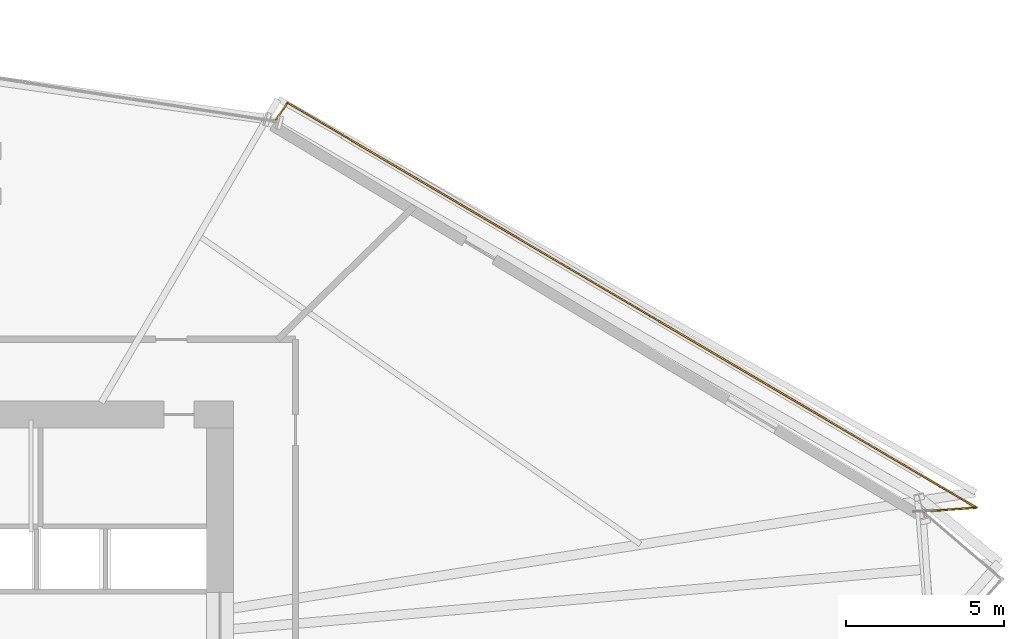
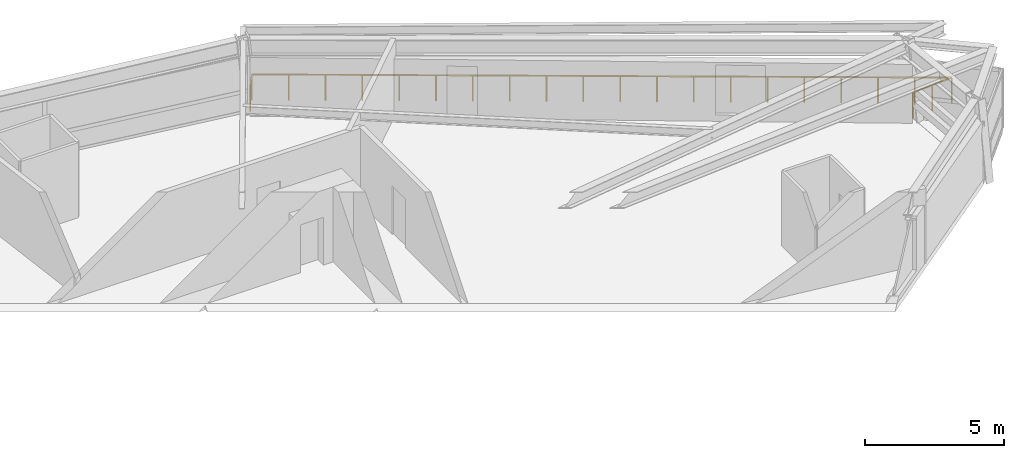
# One storey, part 22 of 22: 1 railing.
"""IFC4 building model written with IfcOpenShell, lengths in metres."""

import ifcopenshell
import ifcopenshell.guid

model = None  # the IFC model being written
_history = None  # IfcOwnerHistory: only IFC2X3 demands one
_inside = {}  # id of a spatial element -> (the spatial element, [elements in it])
_under = {}  # id of a project, library or spatial element -> (it, [spatial elements below it])
_declared = {}  # id of a project -> (the project, [libraries it declares])
_typed = {}  # id of a type object -> (the type object, [elements of that type])
_made_of = {}  # id of a material, layer set ... -> (it, [elements and type objects made of it])


def new_model(schema):
    """Start an empty IFC model of exactly this schema.

    Asked for "IFC4X3", IfcOpenShell would pick the latest addendum, in which some entities
    have other attributes; the version numbers below select the first issue.
    IFC2X3 requires an IfcOwnerHistory on every rooted entity: one is made here for all.
    """
    global model, _history
    if schema == "IFC4X3":
        model = ifcopenshell.file(schema_version=(4, 3, 0, 0))
    else:
        model = ifcopenshell.file(schema=schema)
    _inside.clear()
    _under.clear()
    _declared.clear()
    _typed.clear()
    _made_of.clear()
    _history = None
    if model.schema == "IFC2X3":
        org = make("IfcOrganization", Name="unknown")
        user = make(
            "IfcPersonAndOrganization",
            ThePerson=make("IfcPerson", FamilyName="unknown"),
            TheOrganization=org,
        )
        app = make(
            "IfcApplication",
            ApplicationDeveloper=org,
            Version="unknown",
            ApplicationFullName="unknown",
            ApplicationIdentifier="unknown",
        )
        _history = make(
            "IfcOwnerHistory",
            OwningUser=user,
            OwningApplication=app,
            ChangeAction="ADDED",
            CreationDate=0,
        )
    return model


def make(cls, **values):
    """One entity of the class cls with the attributes given. An attribute that is None is left unset."""
    return model.create_entity(
        cls, **{name: value for name, value in values.items() if value is not None}
    )


def rooted(cls, **values):
    """An entity with a GlobalId (a new one), such as an element, a storey or a relation."""
    return make(cls, GlobalId=ifcopenshell.guid.new(), OwnerHistory=_history, **values)


def si_unit(unit_type, name, prefix=None):
    """IfcSIUnit, for example si_unit("LENGTHUNIT", "METRE", prefix="MILLI")."""
    return make("IfcSIUnit", UnitType=unit_type, Prefix=prefix, Name=name)


def assignment(units):
    """IfcUnitAssignment: the units of a project."""
    return None if units is None else make("IfcUnitAssignment", Units=units)


def point(xyz):
    """IfcCartesianPoint."""
    return None if xyz is None else make("IfcCartesianPoint", Coordinates=xyz)


def direction(xyz):
    """IfcDirection."""
    return None if xyz is None else make("IfcDirection", DirectionRatios=xyz)


def frame(location, z_axis=None, x_axis=None):
    """IfcAxis2Placement3D, a coordinate frame: its origin and axes. An axis left out is left unset."""
    return make(
        "IfcAxis2Placement3D",
        Location=point(location),
        Axis=direction(z_axis),
        RefDirection=direction(x_axis),
    )


def frame_2d(location, x_axis=None):
    """IfcAxis2Placement2D, a coordinate frame in the plane: its origin and x axis."""
    return make(
        "IfcAxis2Placement2D", Location=point(location), RefDirection=direction(x_axis)
    )


def origin():
    """The frame at (0, 0, 0) with its axes left unset."""
    return frame((0.0, 0.0, 0.0))


def origin_2d():
    """The frame at (0, 0) in the plane with its x axis left unset."""
    return frame_2d((0.0, 0.0))


def place(relative_to, where):
    """IfcLocalPlacement: puts the frame where relative to a parent placement (None: the world)."""
    return make(
        "IfcLocalPlacement", PlacementRelTo=relative_to, RelativePlacement=where
    )


def context(
    kind, dimensions, precision=None, world=None, true_north=None, identifier=None
):
    """IfcGeometricRepresentationContext, for example the 3D "Model" context."""
    return make(
        "IfcGeometricRepresentationContext",
        ContextIdentifier=identifier,
        ContextType=kind,
        CoordinateSpaceDimension=dimensions,
        Precision=precision,
        WorldCoordinateSystem=world,
        TrueNorth=true_north,
    )


def subcontext(parent, identifier, kind, view, scale=None):
    """IfcGeometricRepresentationSubContext, for example "Body" below "Model"."""
    return make(
        "IfcGeometricRepresentationSubContext",
        ContextIdentifier=identifier,
        ContextType=kind,
        ParentContext=parent,
        TargetScale=scale,
        TargetView=view,
    )


def project(units=None, contexts=None):
    """IfcProject with its units and contexts."""
    return rooted(
        "IfcProject",
        Name="project",
        RepresentationContexts=contexts,
        UnitsInContext=assignment(units),
    )


def spatial(cls, under=None, at=None, **own):
    """A site, building, storey or space (cls), placed at a placement, below another one or the project."""
    s = rooted(cls, ObjectPlacement=at, **own)
    if under is not None:
        _under.setdefault(under.id(), (under, []))[1].append(s)
    return s


def profile(cls, at=None, kind="AREA", **sizes):
    """A parametric profile (cls). Its sizes go by their IFC names, for example OverallWidth=200.0."""
    return make(cls, ProfileType=kind, Position=at, **sizes)


def rectangle(**sizes):
    """IfcRectangleProfileDef."""
    return profile("IfcRectangleProfileDef", **sizes)


def extrude(swept, where, along, depth):
    """IfcExtrudedAreaSolid: the profile swept, set in the frame where, extruded along a direction by depth."""
    return make(
        "IfcExtrudedAreaSolid",
        SweptArea=swept,
        Position=where,
        ExtrudedDirection=direction(along),
        Depth=depth,
    )


def shape(context_of_items, identifier, shape_type, items):
    """IfcShapeRepresentation: the items that make up one representation, for example the "Body"."""
    return make(
        "IfcShapeRepresentation",
        ContextOfItems=context_of_items,
        RepresentationIdentifier=identifier,
        RepresentationType=shape_type,
        Items=items,
    )


def material(Name=None, Category=None):
    """IfcMaterial."""
    return make("IfcMaterial", Name=Name, Category=Category)


def made_of(thing, what):
    """Note that an element or type object is made of a material, layer set ...; save() writes the relation."""
    if what is not None:
        _made_of.setdefault(what.id(), (what, []))[1].append(thing)
    return thing


def type_object(cls, material=None, **own):
    """A type object (cls), such as IfcWallType, which elements share."""
    return made_of(rooted(cls, **own), material)


def element(
    cls,
    number,
    at=None,
    inside=None,
    cuts=None,
    type_object=None,
    material=None,
    context=None,
    identifier="Body",
    shape_type=None,
    held_by="IfcProductDefinitionShape",
    body=None,
    shapes=None,
    **own,
):
    """One element of the class cls, such as IfcWall. Its Tag is "e" and its number.

    at: its placement. inside: the storey or other place that contains it. cuts: it is an
    opening in that element (IfcRelVoidsElement). A single representation is given by context,
    identifier, shape_type and body (its items); several are given by shapes. held_by: the class
    of the entity that holds the representations. save() writes the other relations.
    """
    e = rooted(cls, Tag="e%d" % number, ObjectPlacement=at, **own)
    if body is not None:
        shapes = [shape(context, identifier, shape_type, body)]
    if shapes is not None:
        e.Representation = make(held_by, Representations=shapes)
    if inside is not None:
        _inside.setdefault(inside.id(), (inside, []))[1].append(e)
    if cuts is not None:
        rooted(
            "IfcRelVoidsElement", RelatingBuildingElement=cuts, RelatedOpeningElement=e
        )
    if type_object is not None:
        _typed.setdefault(type_object.id(), (type_object, []))[1].append(e)
    return made_of(e, material)


def aggregate(whole, parts):
    """IfcRelAggregates: a whole, such as a stair, and the parts it consists of."""
    return rooted("IfcRelAggregates", RelatingObject=whole, RelatedObjects=parts)


def save(model, path):
    """Write the relations noted so far, then the file.

    IfcRelAggregates (storeys below a building ...), IfcRelContainedInSpatialStructure (elements
    in a storey), IfcRelDefinesByType, IfcRelAssociatesMaterial and IfcRelDeclares: one each for
    every whole, place, type object, material and project.
    """
    for whole, parts in _under.values():
        aggregate(whole, parts)
    for where, things in _inside.values():
        rooted(
            "IfcRelContainedInSpatialStructure",
            RelatedElements=things,
            RelatingStructure=where,
        )
    for kind, things in _typed.values():
        rooted("IfcRelDefinesByType", RelatedObjects=things, RelatingType=kind)
    for what, things in _made_of.values():
        rooted("IfcRelAssociatesMaterial", RelatedObjects=things, RelatingMaterial=what)
    for by, libraries in _declared.values():
        rooted("IfcRelDeclares", RelatingContext=by, RelatedDefinitions=libraries)
    model.write(path)


model = new_model("IFC4")

# Units and contexts
model_context = context("Model", 3, precision=1e-05, world=origin(), true_north=direction((0.0, 1.0)))
body_context = subcontext(model_context, "Body", "Model", "MODEL_VIEW")
ifc_project = project(units=[si_unit("LENGTHUNIT", "METRE"), si_unit("AREAUNIT", "SQUARE_METRE"), si_unit("VOLUMEUNIT", "CUBIC_METRE"), si_unit("PLANEANGLEUNIT", "RADIAN"), si_unit("MASSUNIT", "GRAM", prefix="KILO")], contexts=[model_context])

# Site, building, storey
site_placement = place(None, origin())
site = spatial("IfcSite", under=ifc_project, at=site_placement, CompositionType="ELEMENT")
building_placement = place(site_placement, origin())
building = spatial("IfcBuilding", under=site, at=building_placement, Name="Olszyna Solenne Hotel", CompositionType="ELEMENT")
storey_placement = place(building_placement, frame((0.0, 0.0, 50.60009765625)))
storey = spatial("IfcBuildingStorey", under=building, at=storey_placement, Name="L12", CompositionType="ELEMENT", Elevation=50.60009765625)

# Railing
ifc_material = material(Name="Anodised bronze aluminium", Category="aluminium")
railing_type = type_object("IfcRailingType", Name="GR-110", PredefinedType="BALUSTRADE", material=ifc_material)
railing_placement = place(storey_placement, frame((68.495849609375, 31.07080078125, 0.0)))
element("IfcRailing", 1, at=railing_placement, inside=storey, type_object=railing_type, Name="Loggia balcony balustrade guard GR-L12-LG1", PredefinedType="BALUSTRADE", context=body_context, shape_type="SweptSolid", body=[
    extrude(rectangle(XDim=0.048095703125, YDim=0.048095703125, at=origin_2d()), frame((0.0, 0.0, 1.1259765625), z_axis=(0.997537914015, 0.070129238567, 0.0), x_axis=(-0.070129238567, 0.997537914015, 0.0)), (0.0, 0.0, 1.0), 1.69189453125),
    extrude(rectangle(XDim=0.048095703125, YDim=0.048095703125, at=origin_2d()), frame((1.687744140625, 0.11865234375, 1.1259765625), z_axis=(-0.862043470524, 0.506834346633, 0.0), x_axis=(-0.506834346633, -0.862043470524, 0.0)), (0.0, 0.0, 1.0), 25.21337890625),
    extrude(rectangle(XDim=0.048095703125, YDim=0.048095703125, at=origin_2d()), frame((-20.04736328125, 12.897705078125, 1.1259765625), z_axis=(-0.562460656789, -0.826824049943, 0.0), x_axis=(0.826824049943, -0.562460656789, 0.0)), (0.0, 0.0, 1.0), 0.709228515625),
    extrude(rectangle(XDim=0.0419921875, YDim=0.0419921875, at=origin_2d()), origin(), (0.0, 0.0, 1.0), 1.101806640625),
    extrude(rectangle(XDim=0.0419921875, YDim=0.0419921875, at=origin_2d()), frame((0.84375, 0.059326171875, 0.0)), (0.0, 0.0, 1.0), 1.101806640625),
    extrude(rectangle(XDim=0.0419921875, YDim=0.0419921875, at=origin_2d()), frame((1.687744140625, 0.11865234375, 0.0)), (0.0, 0.0, 1.0), 1.101806640625),
    extrude(rectangle(XDim=0.0419921875, YDim=0.0419921875, at=origin_2d()), frame((0.543701171875, 0.791259765625, 0.0)), (0.0, 0.0, 1.0), 1.101806640625),
    extrude(rectangle(XDim=0.0419921875, YDim=0.0419921875, at=origin_2d()), frame((-0.60009765625, 1.4638671875, 0.0)), (0.0, 0.0, 1.0), 1.101806640625),
    extrude(rectangle(XDim=0.0419921875, YDim=0.0419921875, at=origin_2d()), frame((-1.744140625, 2.136474609375, 0.0)), (0.0, 0.0, 1.0), 1.101806640625),
    extrude(rectangle(XDim=0.0419921875, YDim=0.0419921875, at=origin_2d()), frame((-2.88818359375, 2.80908203125, 0.0)), (0.0, 0.0, 1.0), 1.101806640625),
    extrude(rectangle(XDim=0.0419921875, YDim=0.0419921875, at=origin_2d()), frame((-4.031982421875, 3.4814453125, 0.0)), (0.0, 0.0, 1.0), 1.101806640625),
    extrude(rectangle(XDim=0.0419921875, YDim=0.0419921875, at=origin_2d()), frame((-5.176025390625, 4.154052734375, 0.0)), (0.0, 0.0, 1.0), 1.101806640625),
    extrude(rectangle(XDim=0.0419921875, YDim=0.0419921875, at=origin_2d()), frame((-6.31982421875, 4.82666015625, 0.0)), (0.0, 0.0, 1.0), 1.101806640625),
    extrude(rectangle(XDim=0.0419921875, YDim=0.0419921875, at=origin_2d()), frame((-7.4638671875, 5.499267578125, 0.0)), (0.0, 0.0, 1.0), 1.101806640625),
    extrude(rectangle(XDim=0.0419921875, YDim=0.0419921875, at=origin_2d()), frame((-8.60791015625, 6.171875, 0.0)), (0.0, 0.0, 1.0), 1.101806640625),
    extrude(rectangle(XDim=0.0419921875, YDim=0.0419921875, at=origin_2d()), frame((-9.751708984375, 6.844482421875, 0.0)), (0.0, 0.0, 1.0), 1.101806640625),
    extrude(rectangle(XDim=0.0419921875, YDim=0.0419921875, at=origin_2d()), frame((-10.895751953125, 7.51708984375, 0.0)), (0.0, 0.0, 1.0), 1.101806640625),
    extrude(rectangle(XDim=0.0419921875, YDim=0.0419921875, at=origin_2d()), frame((-12.039794921875, 8.189697265625, 0.0)), (0.0, 0.0, 1.0), 1.101806640625),
    extrude(rectangle(XDim=0.0419921875, YDim=0.0419921875, at=origin_2d()), frame((-13.18359375, 8.8623046875, 0.0)), (0.0, 0.0, 1.0), 1.101806640625),
    extrude(rectangle(XDim=0.0419921875, YDim=0.0419921875, at=origin_2d()), frame((-14.32763671875, 9.534912109375, 0.0)), (0.0, 0.0, 1.0), 1.101806640625),
    extrude(rectangle(XDim=0.0419921875, YDim=0.0419921875, at=origin_2d()), frame((-15.471435546875, 10.207275390625, 0.0)), (0.0, 0.0, 1.0), 1.101806640625),
    extrude(rectangle(XDim=0.0419921875, YDim=0.0419921875, at=origin_2d()), frame((-16.615478515625, 10.8798828125, 0.0)), (0.0, 0.0, 1.0), 1.101806640625),
    extrude(rectangle(XDim=0.0419921875, YDim=0.0419921875, at=origin_2d()), frame((-17.759521484375, 11.552490234375, 0.0)), (0.0, 0.0, 1.0), 1.101806640625),
    extrude(rectangle(XDim=0.0419921875, YDim=0.0419921875, at=origin_2d()), frame((-18.9033203125, 12.22509765625, 0.0)), (0.0, 0.0, 1.0), 1.101806640625),
    extrude(rectangle(XDim=0.0419921875, YDim=0.0419921875, at=origin_2d()), frame((-20.04736328125, 12.897705078125, 0.0)), (0.0, 0.0, 1.0), 1.101806640625),
    extrude(rectangle(XDim=0.0419921875, YDim=0.0419921875, at=origin_2d()), frame((-20.4462890625, 12.311279296875, 0.0)), (0.0, 0.0, 1.0), 1.101806640625),
])

save(model, "model.ifc")
